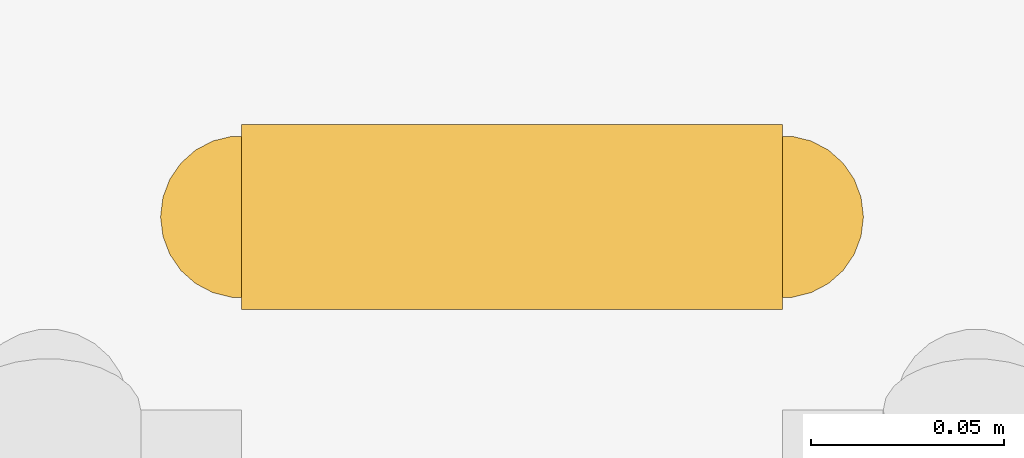
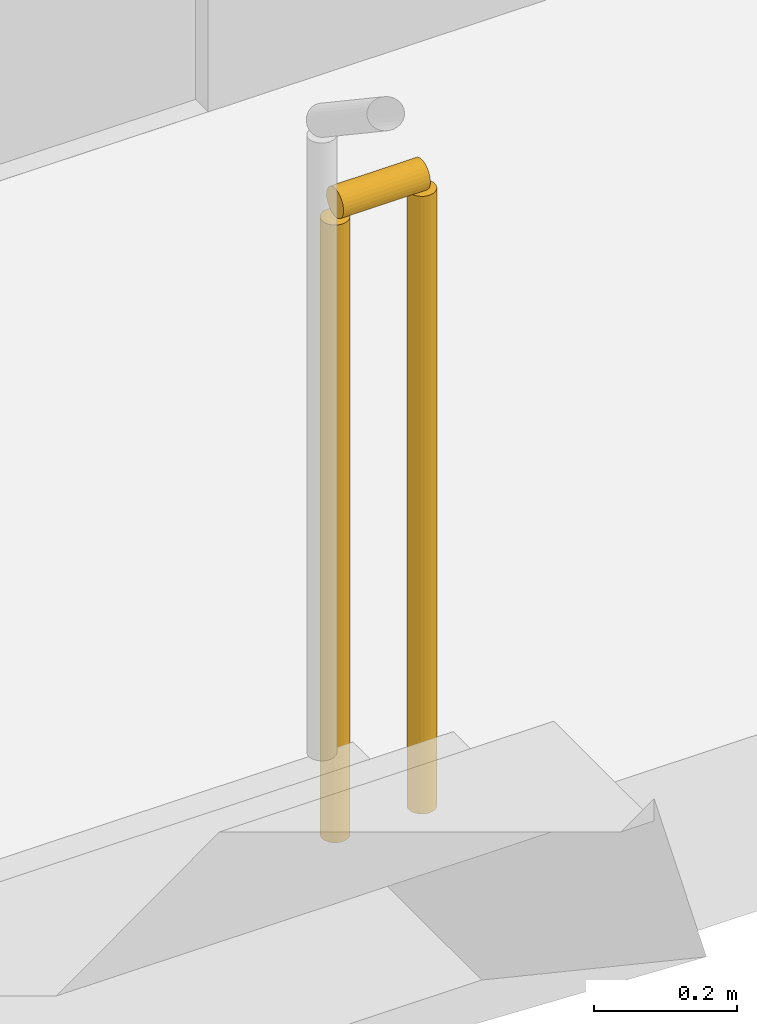
# One storey, part 26 of 28: 1 railing.
"""IFC4 building model written with IfcOpenShell, lengths in metres."""

from ifc_helpers import new_model, si_unit, direction, frame, origin, origin_2d, place, context, subcontext, project, spatial, circle, extrude, material, layer, layer_set, type_object, element, save


model = new_model("IFC4")

# Units and contexts
model_context = context("Model", 3, precision=1e-05, world=origin(), true_north=direction((0.0, 1.0)))
body_context = subcontext(model_context, "Body", "Model", "MODEL_VIEW")
ifc_project = project(units=[si_unit("LENGTHUNIT", "METRE"), si_unit("AREAUNIT", "SQUARE_METRE"), si_unit("VOLUMEUNIT", "CUBIC_METRE"), si_unit("PLANEANGLEUNIT", "RADIAN"), si_unit("MASSUNIT", "GRAM", prefix="KILO")], contexts=[model_context])

# Site, building, storey
site_placement = place(None, origin())
site = spatial("IfcSite", under=ifc_project, at=site_placement, CompositionType="ELEMENT")
building_placement = place(site_placement, origin())
building = spatial("IfcBuilding", under=site, at=building_placement, Name="Ndaravel Arena Tower", CompositionType="ELEMENT")
storey_placement = place(building_placement, frame((0.0, 0.0, 18.0)))
storey = spatial("IfcBuildingStorey", under=building, at=storey_placement, Name="L03", CompositionType="ELEMENT", Elevation=18.0)

# Railing
ifc_material = material(Name="Steel S355", Category="steel")
ifc_layer = layer(ifc_material, 0.06005859375)
ifc_layer_set = layer_set([ifc_layer], Name="Steel S355")
railing_type = type_object("IfcRailingType", Name="RAIL-STAIR-GD1100", PredefinedType="GUARDRAIL", material=ifc_layer_set)
railing_placement = place(storey_placement, frame((79.739990234375, 27.280029296875, 0.0)))
element("IfcRailing", 1, at=railing_placement, inside=storey, type_object=railing_type, Name="L03 ST-A12 stair guard 4", PredefinedType="GUARDRAIL", context=body_context, shape_type="SweptSolid", body=[
    extrude(circle(Radius=0.02392578125, at=origin_2d()), frame((0.0, 0.0, 1.076171875), z_axis=(1.0, 0.0, 0.0), x_axis=(0.0, 1.0, 0.0)), (0.0, 0.0, 1.0), 0.139892578125),
    extrude(circle(Radius=0.02099609375, at=origin_2d()), origin(), (0.0, 0.0, 1.0), 1.052001953125),
    extrude(circle(Radius=0.02099609375, at=origin_2d()), frame((0.139892578125, 0.0, 0.0)), (0.0, 0.0, 1.0), 1.052001953125),
])

save(model, "model.ifc")
